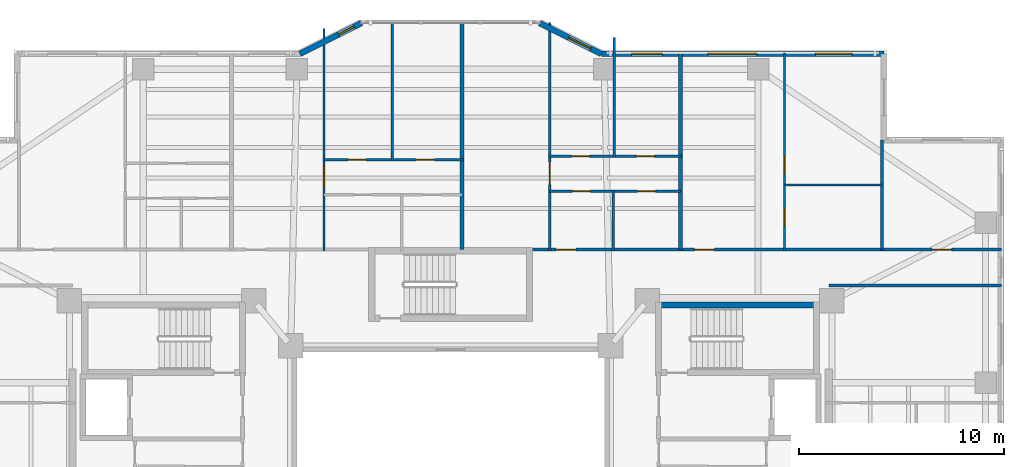
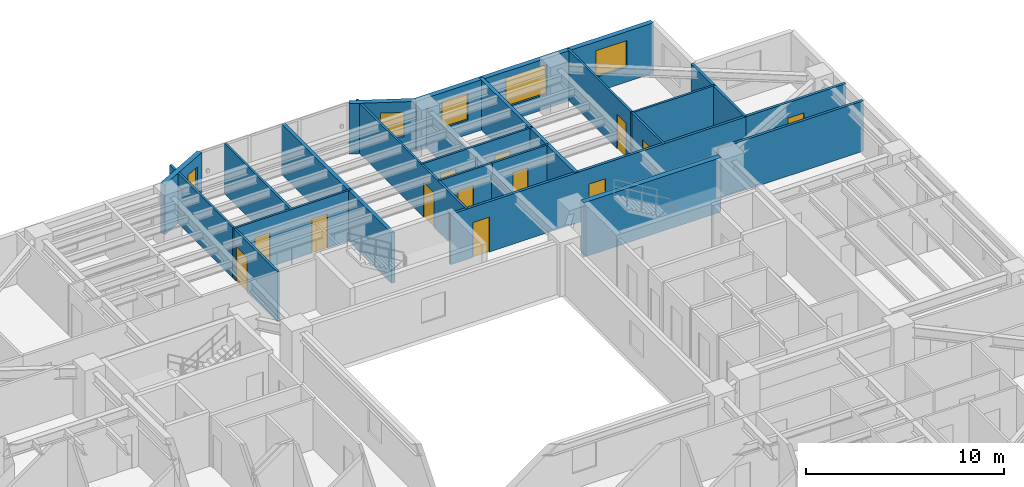
# One storey, part 11 of 19: 22 walls, 13 doors, 5 windows, 18 openings.
"""IFC4 building model written with IfcOpenShell, lengths in metres."""

from ifc_helpers import new_model, si_unit, direction, frame, frame_2d, origin, place, context, subcontext, project, spatial, rectangle, extrude, material, layer, layer_set, type_object, element, fill, save


model = new_model("IFC4")

# Units and contexts
model_context = context("Model", 3, precision=1e-05, world=origin(), true_north=direction((0.0, 1.0)))
body_context = subcontext(model_context, "Body", "Model", "MODEL_VIEW")
ifc_project = project(units=[si_unit("LENGTHUNIT", "METRE"), si_unit("AREAUNIT", "SQUARE_METRE"), si_unit("VOLUMEUNIT", "CUBIC_METRE"), si_unit("PLANEANGLEUNIT", "RADIAN"), si_unit("MASSUNIT", "GRAM", prefix="KILO")], contexts=[model_context])

# Site, building, storey
site_placement = place(None, origin())
site = spatial("IfcSite", under=ifc_project, at=site_placement, CompositionType="ELEMENT")
building_placement = place(site_placement, origin())
building = spatial("IfcBuilding", under=site, at=building_placement, Name="Tarnavaz Court Tower", CompositionType="ELEMENT")
storey_placement = place(building_placement, frame((0.0, 0.0, 81.64990234375)))
storey = spatial("IfcBuildingStorey", under=building, at=storey_placement, Name="L21", CompositionType="ELEMENT", Elevation=81.64990234375)

# Wall
ifc_material_1 = material(Name="Concrete C60/75", Category="concrete")
ifc_layer_1 = layer(ifc_material_1, 0.300048828125)
ifc_layer_set_1 = layer_set([ifc_layer_1], Name="Concrete C60/75")
wall_type_1 = type_object("IfcWallType", Name="WL-CORE-300-C60", PredefinedType="SHEAR", material=ifc_layer_set_1)
wall_1_placement = place(storey_placement, frame((10.0, 9.7900390625, 0.0), z_axis=(0.0, 0.0, 1.0), x_axis=(1.0, 0.0, 0.0)))
element("IfcWall", 1, at=wall_1_placement, inside=storey, type_object=wall_type_1, Name="L21 East Stair Core Wall 005", PredefinedType="SHEAR", context=body_context, shape_type="SweptSolid", body=[
    extrude(rectangle(XDim=8.0, YDim=0.300048828125, at=frame_2d((4.0, 0.0))), origin(), (0.0, 0.0, 1.0), 3.35009765625),
])

# Wall, opening, window
ifc_material_2 = material(Name="Precast Concrete C40/50", Category="concrete")
ifc_layer_2 = layer(ifc_material_2, 0.280029296875)
ifc_layer_set_2 = layer_set([ifc_layer_2], Name="Precast Concrete C40/50")
wall_type_2 = type_object("IfcWallType", Name="WL-EXT-280", PredefinedType="SOLIDWALL", material=ifc_layer_set_2)
wall_2_placement = place(storey_placement, frame((-7.35009765625, 22.050048828125, 0.0), z_axis=(0.0, 0.0, 1.0), x_axis=(0.894427191, 0.4472135955, 0.0)))
wall_2 = element("IfcWall", 2, at=wall_2_placement, inside=storey, type_object=wall_type_2, Name="L21 Exterior Terracotta Facade Wall 06", PredefinedType="SOLIDWALL", context=body_context, shape_type="SweptSolid", body=[
    extrude(rectangle(XDim=3.35400390625, YDim=0.280029296875, at=frame_2d((1.677001953125, 0.0))), origin(), (0.0, 0.0, 1.0), 3.10009765625),
])
opening_1_placement = place(wall_2_placement, frame((2.098876953125, 0.0, 0.949951171875)))
opening_1 = element("IfcOpeningElement", 3, at=opening_1_placement, cuts=wall_2, Name="Opening W15", PredefinedType="OPENING", context=body_context, shape_type="SweptSolid", body=[
    extrude(rectangle(XDim=0.85009765625, YDim=1.5, at=frame_2d((0.425048828125, 0.75))), frame((0.0, 0.14990234375, 0.0), z_axis=(0.0, -1.0, 0.0), x_axis=(1.0, 0.0, 0.0)), (0.0, 0.0, 1.0), 0.300048828125),
])
ifc_material_3 = material(Name="Double-Glazed Solar Low-E Glass", Category="glass")
window_type_1 = type_object("IfcWindowType", Name="WN-APT-850", PartitioningType="SINGLE_PANEL", PredefinedType="WINDOW", material=ifc_material_3)
window_1_placement = place(opening_1_placement, origin())
window_1 = element("IfcWindow", 4, at=window_1_placement, inside=storey, type_object=window_type_1, Name="L21 Flat 02 Principal Bedroom Window", OverallHeight=1.5, OverallWidth=0.85009765625, PartitioningType="SINGLE_PANEL", PredefinedType="WINDOW", context=body_context, shape_type="SweptSolid", body=[
    extrude(rectangle(XDim=0.85009765625, YDim=1.5, at=frame_2d((0.425048828125, 0.75))), frame((0.0, 0.030029296875, 0.0), z_axis=(0.0, -1.0, 0.0), x_axis=(1.0, 0.0, 0.0)), (0.0, 0.0, 1.0), 0.06005859375),
])
fill(opening_1, window_1)

wall_3_placement = place(storey_placement, frame((4.35009765625, 23.550048828125, 0.0), z_axis=(0.0, 0.0, 1.0), x_axis=(0.894427191, -0.4472135955, 0.0)))
wall_3 = element("IfcWall", 5, at=wall_3_placement, inside=storey, type_object=wall_type_2, Name="L21 Exterior Terracotta Facade Wall 08", PredefinedType="SOLIDWALL", context=body_context, shape_type="SweptSolid", body=[
    extrude(rectangle(XDim=3.35400390625, YDim=0.280029296875, at=frame_2d((1.677001953125, 0.0))), origin(), (0.0, 0.0, 1.0), 3.10009765625),
])
opening_2_placement = place(wall_3_placement, frame((1.582763671875, 0.0, 0.949951171875)))
opening_2 = element("IfcOpeningElement", 6, at=opening_2_placement, cuts=wall_3, Name="Opening W05", PredefinedType="OPENING", context=body_context, shape_type="SweptSolid", body=[
    extrude(rectangle(XDim=1.199951171875, YDim=1.5, at=frame_2d((0.60009765625, 0.75))), frame((0.0, 0.14990234375, 0.0), z_axis=(0.0, -1.0, 0.0), x_axis=(1.0, 0.0, 0.0)), (0.0, 0.0, 1.0), 0.300048828125),
])
window_type_2 = type_object("IfcWindowType", Name="WN-APT-1200", PartitioningType="SINGLE_PANEL", PredefinedType="WINDOW", material=ifc_material_3)
window_2_placement = place(opening_2_placement, origin())
window_2 = element("IfcWindow", 7, at=window_2_placement, inside=storey, type_object=window_type_2, Name="L21 Flat 03 Principal Bedroom Window", OverallHeight=1.5, OverallWidth=1.199951171875, PartitioningType="SINGLE_PANEL", PredefinedType="WINDOW", context=body_context, shape_type="SweptSolid", body=[
    extrude(rectangle(XDim=1.199951171875, YDim=1.5, at=frame_2d((0.60009765625, 0.75))), frame((0.0, 0.030029296875, 0.0), z_axis=(0.0, -1.0, 0.0), x_axis=(1.0, 0.0, 0.0)), (0.0, 0.0, 1.0), 0.06005859375),
])
fill(opening_2, window_2)

# Wall, openings, windows
wall_4_placement = place(storey_placement, frame((7.35009765625, 22.050048828125, 0.0), z_axis=(0.0, 0.0, 1.0), x_axis=(1.0, 0.0, 0.0)))
wall_4 = element("IfcWall", 8, at=wall_4_placement, inside=storey, type_object=wall_type_2, Name="L21 Exterior Terracotta Facade Wall 09", PredefinedType="SOLIDWALL", context=body_context, shape_type="SweptSolid", body=[
    extrude(rectangle(XDim=13.7998046875, YDim=0.280029296875, at=frame_2d((6.89990234375, 0.0))), origin(), (0.0, 0.0, 1.0), 3.10009765625),
])
opening_3_placement = place(wall_4_placement, frame((1.483154296875, 0.0, 0.89990234375)))
opening_3 = element("IfcOpeningElement", 9, at=opening_3_placement, cuts=wall_4, Name="Opening W03", PredefinedType="OPENING", context=body_context, shape_type="SweptSolid", body=[
    extrude(rectangle(XDim=1.5, YDim=1.64990234375, at=frame_2d((0.75, 0.824951171875))), frame((0.0, 0.14990234375, 0.0), z_axis=(0.0, -1.0, 0.0), x_axis=(1.0, 0.0, 0.0)), (0.0, 0.0, 1.0), 0.300048828125),
])
opening_4_placement = place(wall_4_placement, frame((5.1982421875, 0.0, 0.89990234375)))
opening_4 = element("IfcOpeningElement", 10, at=opening_4_placement, cuts=wall_4, Name="Opening W06", PredefinedType="OPENING", context=body_context, shape_type="SweptSolid", body=[
    extrude(rectangle(XDim=2.39990234375, YDim=1.800048828125, at=frame_2d((1.199951171875, 0.89990234375))), frame((0.0, 0.14990234375, 0.0), z_axis=(0.0, -1.0, 0.0), x_axis=(1.0, 0.0, 0.0)), (0.0, 0.0, 1.0), 0.300048828125),
])
opening_5_placement = place(wall_4_placement, frame((10.441162109375, 0.0, 0.89990234375)))
opening_5 = element("IfcOpeningElement", 11, at=opening_5_placement, cuts=wall_4, Name="Opening W01", PredefinedType="OPENING", context=body_context, shape_type="SweptSolid", body=[
    extrude(rectangle(XDim=1.800048828125, YDim=1.64990234375, at=frame_2d((0.89990234375, 0.824951171875))), frame((0.0, 0.14990234375, 0.0), z_axis=(0.0, -1.0, 0.0), x_axis=(1.0, 0.0, 0.0)), (0.0, 0.0, 1.0), 0.300048828125),
])
window_type_3 = type_object("IfcWindowType", Name="WN-APT-1500", PartitioningType="DOUBLE_PANEL_VERTICAL", PredefinedType="WINDOW", material=ifc_material_3)
window_3_placement = place(opening_3_placement, origin())
window_3 = element("IfcWindow", 12, at=window_3_placement, inside=storey, type_object=window_type_3, Name="L21 Flat 03 Bedroom 2 Window", OverallHeight=1.64990234375, OverallWidth=1.5, PartitioningType="SINGLE_PANEL", PredefinedType="WINDOW", context=body_context, shape_type="SweptSolid", body=[
    extrude(rectangle(XDim=1.5, YDim=1.64990234375, at=frame_2d((0.75, 0.824951171875))), frame((0.0, 0.030029296875, 0.0), z_axis=(0.0, -1.0, 0.0), x_axis=(1.0, 0.0, 0.0)), (0.0, 0.0, 1.0), 0.06005859375),
])
fill(opening_3, window_3)
window_type_4 = type_object("IfcWindowType", Name="WN-APT-1800", PartitioningType="DOUBLE_PANEL_VERTICAL", PredefinedType="WINDOW", material=ifc_material_3)
window_4_placement = place(opening_5_placement, origin())
window_4 = element("IfcWindow", 13, at=window_4_placement, inside=storey, type_object=window_type_4, Name="L21 Flat 04 Kitchen Window", OverallHeight=1.64990234375, OverallWidth=1.800048828125, PartitioningType="SINGLE_PANEL", PredefinedType="WINDOW", context=body_context, shape_type="SweptSolid", body=[
    extrude(rectangle(XDim=1.800048828125, YDim=1.64990234375, at=frame_2d((0.89990234375, 0.824951171875))), frame((0.0, 0.030029296875, 0.0), z_axis=(0.0, -1.0, 0.0), x_axis=(1.0, 0.0, 0.0)), (0.0, 0.0, 1.0), 0.06005859375),
])
fill(opening_5, window_4)
window_type_5 = type_object("IfcWindowType", Name="WN-APT-2400", PartitioningType="TRIPLE_PANEL_VERTICAL", PredefinedType="WINDOW", material=ifc_material_3)
window_5_placement = place(opening_4_placement, origin())
window_5 = element("IfcWindow", 14, at=window_5_placement, inside=storey, type_object=window_type_5, Name="L21 Flat 04 Studio Living and Sleeping Room Window", OverallHeight=1.800048828125, OverallWidth=2.39990234375, PartitioningType="SINGLE_PANEL", PredefinedType="WINDOW", context=body_context, shape_type="SweptSolid", body=[
    extrude(rectangle(XDim=2.39990234375, YDim=1.800048828125, at=frame_2d((1.199951171875, 0.89990234375))), frame((0.0, 0.030029296875, 0.0), z_axis=(0.0, -1.0, 0.0), x_axis=(1.0, 0.0, 0.0)), (0.0, 0.0, 1.0), 0.06005859375),
])
fill(opening_4, window_5)

# Wall, openings, doors
ifc_material_4 = material(Name="Gypsum Fire-Board on Acoustic Metal Stud", Category="masonry")
ifc_layer_3 = layer(ifc_material_4, 0.14990234375)
ifc_layer_set_3 = layer_set([ifc_layer_3], Name="Gypsum Fire-Board on Acoustic Metal Stud")
wall_type_3 = type_object("IfcWallType", Name="WL-FIRE-150", PredefinedType="PARTITIONING", material=ifc_layer_set_3)
wall_5_placement = place(storey_placement, frame((3.85009765625, 12.5, 0.0), z_axis=(0.0, 0.0, 1.0), x_axis=(1.0, 0.0, 0.0)))
wall_5 = element("IfcWall", 15, at=wall_5_placement, inside=storey, type_object=wall_type_3, Name="L21 NE Wing Corridor Wall 072", PredefinedType="PARTITIONING", context=body_context, shape_type="SweptSolid", body=[
    extrude(rectangle(XDim=17.199951171875, YDim=0.14990234375, at=frame_2d((8.60009765625, 0.0))), origin(), (0.0, 0.0, 1.0), 3.10009765625),
])
opening_6_placement = place(wall_5_placement, frame((1.300048828125, 0.0, 0.0)))
opening_6 = element("IfcOpeningElement", 16, at=opening_6_placement, cuts=wall_5, Name="Opening D06", PredefinedType="OPENING", context=body_context, shape_type="SweptSolid", body=[
    extrude(rectangle(XDim=0.9599609375, YDim=2.14990234375, at=frame_2d((0.47998046875, 1.074951171875))), frame((0.0, 0.0849609375, 0.0), z_axis=(0.0, -1.0, 0.0), x_axis=(1.0, 0.0, 0.0)), (0.0, 0.0, 1.0), 0.169921875),
])
opening_7_placement = place(wall_5_placement, frame((8.06005859375, 0.0, 0.0)))
opening_7 = element("IfcOpeningElement", 17, at=opening_7_placement, cuts=wall_5, Name="Opening D06", PredefinedType="OPENING", context=body_context, shape_type="SweptSolid", body=[
    extrude(rectangle(XDim=0.9599609375, YDim=2.14990234375, at=frame_2d((0.47998046875, 1.074951171875))), frame((0.0, 0.0849609375, 0.0), z_axis=(0.0, -1.0, 0.0), x_axis=(1.0, 0.0, 0.0)), (0.0, 0.0, 1.0), 0.169921875),
])
ifc_material_5 = material(Name="Fire-Rated Hardwood Timber Core", Category="wood")
door_type_1 = type_object("IfcDoorType", Name="DR-FD60-950", OperationType="NOTDEFINED", PredefinedType="DOOR", material=ifc_material_5)
door_1_placement = place(opening_6_placement, origin())
door_1 = element("IfcDoor", 18, at=door_1_placement, inside=storey, type_object=door_type_1, Name="L21 Flat 03 Entrance Door", OperationType="SINGLE_SWING_RIGHT", OverallHeight=2.14990234375, OverallWidth=0.9599609375, PredefinedType="DOOR", context=body_context, shape_type="SweptSolid", body=[
    extrude(rectangle(XDim=0.9599609375, YDim=2.14990234375, at=frame_2d((0.47998046875, 1.074951171875))), frame((0.0, 0.02490234375, 0.0), z_axis=(0.0, -1.0, 0.0), x_axis=(1.0, 0.0, 0.0)), (0.0, 0.0, 1.0), 0.050048828125),
])
fill(opening_6, door_1)
door_2_placement = place(opening_7_placement, origin())
door_2 = element("IfcDoor", 19, at=door_2_placement, inside=storey, type_object=door_type_1, Name="L21 Flat 04 Entrance Door", OperationType="SINGLE_SWING_RIGHT", OverallHeight=2.14990234375, OverallWidth=0.9599609375, PredefinedType="DOOR", context=body_context, shape_type="SweptSolid", body=[
    extrude(rectangle(XDim=0.9599609375, YDim=2.14990234375, at=frame_2d((0.47998046875, 1.074951171875))), frame((0.0, 0.02490234375, 0.0), z_axis=(0.0, -1.0, 0.0), x_axis=(1.0, 0.0, 0.0)), (0.0, 0.0, 1.0), 0.050048828125),
])
fill(opening_7, door_2)

# Wall
wall_6_placement = place(storey_placement, frame((18.449951171875, 10.75, 0.0), z_axis=(0.0, 0.0, 1.0), x_axis=(1.0, 0.0, 0.0)))
element("IfcWall", 20, at=wall_6_placement, inside=storey, type_object=wall_type_3, Name="L21 Interior Partition 125", PredefinedType="PARTITIONING", context=body_context, shape_type="SweptSolid", body=[
    extrude(rectangle(XDim=8.429931640625, YDim=0.14990234375, at=frame_2d((4.21484375, 0.0))), origin(), (0.0, 0.0, 1.0), 3.10009765625),
])

# Wall, opening, door
wall_7_placement = place(storey_placement, frame((21.050048828125, 12.5, 0.0), z_axis=(0.0, 0.0, 1.0), x_axis=(1.0, 0.0, 0.0)))
wall_7 = element("IfcWall", 21, at=wall_7_placement, inside=storey, type_object=wall_type_3, Name="L21 Interior Partition 131", PredefinedType="PARTITIONING", context=body_context, shape_type="SweptSolid", body=[
    extrude(rectangle(XDim=5.829833984375, YDim=0.14990234375, at=frame_2d((2.9150390625, 0.0))), origin(), (0.0, 0.0, 1.0), 3.10009765625),
])
opening_8_placement = place(wall_7_placement, frame((2.43994140625, 0.0, 0.0)))
opening_8 = element("IfcOpeningElement", 22, at=opening_8_placement, cuts=wall_7, Name="Opening D13", PredefinedType="OPENING", context=body_context, shape_type="SweptSolid", body=[
    extrude(rectangle(XDim=0.949951171875, YDim=2.14990234375, at=frame_2d((0.47509765625, 1.074951171875))), frame((0.0, 0.0849609375, 0.0), z_axis=(0.0, -1.0, 0.0), x_axis=(1.0, 0.0, 0.0)), (0.0, 0.0, 1.0), 0.169921875),
])
ifc_material_6 = material(Name="Engineered Oak Timber", Category="wood")
door_type_2 = type_object("IfcDoorType", Name="DR-INT-950", OperationType="NOTDEFINED", PredefinedType="DOOR", material=ifc_material_6)
door_3_placement = place(opening_8_placement, origin())
door_3 = element("IfcDoor", 23, at=door_3_placement, inside=storey, type_object=door_type_2, Name="L21 NE Sunroom Door", OperationType="SINGLE_SWING_RIGHT", OverallHeight=2.14990234375, OverallWidth=0.949951171875, PredefinedType="DOOR", context=body_context, shape_type="SweptSolid", body=[
    extrude(rectangle(XDim=0.949951171875, YDim=2.14990234375, at=frame_2d((0.47509765625, 1.074951171875))), frame((0.0, 0.02490234375, 0.0), z_axis=(0.0, -1.0, 0.0), x_axis=(1.0, 0.0, 0.0)), (0.0, 0.0, 1.0), 0.050048828125),
])
fill(opening_8, door_3)

# Walls
ifc_material_7 = material(Name="Autoclaved Aerated Concrete Blockwork", Category="masonry")
ifc_layer_4 = layer(ifc_material_7, 0.199951171875)
ifc_layer_set_4 = layer_set([ifc_layer_4], Name="Autoclaved Aerated Concrete Blockwork")
wall_type_4 = type_object("IfcWallType", Name="WL-FIRE-200", PredefinedType="SOLIDWALL", material=ifc_layer_set_4)
wall_8_placement = place(storey_placement, frame((0.550048828125, 12.5, 0.0), z_axis=(0.0, 0.0, 1.0), x_axis=(0.0, 1.0, 0.0)))
element("IfcWall", 24, at=wall_8_placement, inside=storey, type_object=wall_type_4, Name="L21 North Center Party Wall 075", PredefinedType="SOLIDWALL", context=body_context, shape_type="SweptSolid", body=[
    extrude(rectangle(XDim=11.080078125, YDim=0.199951171875, at=frame_2d((5.5400390625, 0.0))), origin(), (0.0, 0.0, 1.0), 3.10009765625),
])
wall_9_placement = place(storey_placement, frame((11.2099609375, 12.5, 0.0), z_axis=(0.0, 0.0, 1.0), x_axis=(0.0, 1.0, 0.0)))
element("IfcWall", 25, at=wall_9_placement, inside=storey, type_object=wall_type_4, Name="L21 Party Wall 088", PredefinedType="SOLIDWALL", context=body_context, shape_type="SweptSolid", body=[
    extrude(rectangle(XDim=9.60009765625, YDim=0.199951171875, at=frame_2d((4.800048828125, 0.0))), origin(), (0.0, 0.0, 1.0), 3.10009765625),
])

# Wall, opening, door
ifc_material_8 = material(Name="Moisture-Resistant Gypsum Board Partition", Category="masonry")
ifc_layer_5 = layer(ifc_material_8, 0.1201171875)
ifc_layer_set_5 = layer_set([ifc_layer_5], Name="Moisture-Resistant Gypsum Board Partition")
wall_type_5 = type_object("IfcWallType", Name="WL-PART-120", PredefinedType="PARTITIONING", material=ifc_layer_set_5)
wall_10_placement = place(storey_placement, frame((-6.177001953125, 12.43994140625, 0.0), z_axis=(0.0, 0.0, 1.0), x_axis=(0.0, 1.0, 0.0)))
wall_10 = element("IfcWall", 26, at=wall_10_placement, inside=storey, type_object=wall_type_5, Name="L21 Interior Partition 082", PredefinedType="PARTITIONING", context=body_context, shape_type="SweptSolid", body=[
    extrude(rectangle(XDim=10.85009765625, YDim=0.1201171875, at=frame_2d((5.425048828125, 0.0))), origin(), (0.0, 0.0, 1.0), 3.10009765625),
])
opening_9_placement = place(wall_10_placement, frame((3.074951171875, 0.0, 0.0)))
opening_9 = element("IfcOpeningElement", 27, at=opening_9_placement, cuts=wall_10, Name="Opening D12", PredefinedType="OPENING", context=body_context, shape_type="SweptSolid", body=[
    extrude(rectangle(XDim=1.080078125, YDim=2.14990234375, at=frame_2d((0.5400390625, 1.074951171875))), frame((0.0, 0.070068359375, 0.0), z_axis=(0.0, -1.0, 0.0), x_axis=(1.0, 0.0, 0.0)), (0.0, 0.0, 1.0), 0.14013671875),
])
door_type_3 = type_object("IfcDoorType", Name="DR-INT-1100", OperationType="NOTDEFINED", PredefinedType="DOOR", material=ifc_material_6)
door_4_placement = place(opening_9_placement, origin())
door_4 = element("IfcDoor", 28, at=door_4_placement, inside=storey, type_object=door_type_3, Name="L21 Flat 02 Foyer Door", OperationType="SINGLE_SWING_LEFT", OverallHeight=2.14990234375, OverallWidth=1.080078125, PredefinedType="DOOR", context=body_context, shape_type="SweptSolid", body=[
    extrude(rectangle(XDim=1.080078125, YDim=2.14990234375, at=frame_2d((0.5400390625, 1.074951171875))), frame((0.0, 0.02490234375, 0.0), z_axis=(0.0, -1.0, 0.0), x_axis=(1.0, 0.0, 0.0)), (0.0, 0.0, 1.0), 0.050048828125),
])
fill(opening_9, door_4)

# Wall, openings, doors
wall_11_placement = place(storey_placement, frame((-6.237060546875, 16.8798828125, 0.0), z_axis=(0.0, 0.0, 1.0), x_axis=(1.0, 0.0, 0.0)))
wall_11 = element("IfcWall", 29, at=wall_11_placement, inside=storey, type_object=wall_type_5, Name="L21 Interior Partition 085", PredefinedType="PARTITIONING", context=body_context, shape_type="SweptSolid", body=[
    extrude(rectangle(XDim=6.84716796875, YDim=0.1201171875, at=frame_2d((3.423583984375, 0.0))), origin(), (0.0, 0.0, 1.0), 3.10009765625),
])
opening_10_placement = place(wall_11_placement, frame((1.22705078125, 0.0, 0.0)))
opening_10 = element("IfcOpeningElement", 30, at=opening_10_placement, cuts=wall_11, Name="Opening D14", PredefinedType="OPENING", context=body_context, shape_type="SweptSolid", body=[
    extrude(rectangle(XDim=0.8798828125, YDim=2.10009765625, at=frame_2d((0.43994140625, 1.050048828125))), frame((0.0, 0.070068359375, 0.0), z_axis=(0.0, -1.0, 0.0), x_axis=(1.0, 0.0, 0.0)), (0.0, 0.0, 1.0), 0.14013671875),
])
opening_11_placement = place(wall_11_placement, frame((4.56005859375, 0.0, 0.0)))
opening_11 = element("IfcOpeningElement", 31, at=opening_11_placement, cuts=wall_11, Name="Opening D14", PredefinedType="OPENING", context=body_context, shape_type="SweptSolid", body=[
    extrude(rectangle(XDim=0.8798828125, YDim=2.10009765625, at=frame_2d((0.43994140625, 1.050048828125))), frame((0.0, 0.070068359375, 0.0), z_axis=(0.0, -1.0, 0.0), x_axis=(1.0, 0.0, 0.0)), (0.0, 0.0, 1.0), 0.14013671875),
])
door_type_4 = type_object("IfcDoorType", Name="DR-INT-900", OperationType="NOTDEFINED", PredefinedType="DOOR", material=ifc_material_6)
door_5_placement = place(opening_10_placement, origin())
door_5 = element("IfcDoor", 32, at=door_5_placement, inside=storey, type_object=door_type_4, Name="L21 Flat 02 Bedroom 1 Door", OperationType="SINGLE_SWING_RIGHT", OverallHeight=2.10009765625, OverallWidth=0.8798828125, PredefinedType="DOOR", context=body_context, shape_type="SweptSolid", body=[
    extrude(rectangle(XDim=0.8798828125, YDim=2.10009765625, at=frame_2d((0.43994140625, 1.050048828125))), frame((0.0, 0.02490234375, 0.0), z_axis=(0.0, -1.0, 0.0), x_axis=(1.0, 0.0, 0.0)), (0.0, 0.0, 1.0), 0.050048828125),
])
fill(opening_10, door_5)
door_6_placement = place(opening_11_placement, origin())
door_6 = element("IfcDoor", 33, at=door_6_placement, inside=storey, type_object=door_type_4, Name="L21 Flat 02 Bedroom 2 Door", OperationType="SINGLE_SWING_LEFT", OverallHeight=2.10009765625, OverallWidth=0.8798828125, PredefinedType="DOOR", context=body_context, shape_type="SweptSolid", body=[
    extrude(rectangle(XDim=0.8798828125, YDim=2.10009765625, at=frame_2d((0.43994140625, 1.050048828125))), frame((0.0, 0.02490234375, 0.0), z_axis=(0.0, -1.0, 0.0), x_axis=(1.0, 0.0, 0.0)), (0.0, 0.0, 1.0), 0.050048828125),
])
fill(opening_11, door_6)

# Wall
wall_12_placement = place(storey_placement, frame((-2.843017578125, 16.820068359375, 0.0), z_axis=(0.0, 0.0, 1.0), x_axis=(0.0, 1.0, 0.0)))
element("IfcWall", 34, at=wall_12_placement, inside=storey, type_object=wall_type_5, Name="L21 Interior Partition 087", PredefinedType="PARTITIONING", context=body_context, shape_type="SweptSolid", body=[
    extrude(rectangle(XDim=6.760009765625, YDim=0.1201171875, at=frame_2d((3.3798828125, 0.0))), origin(), (0.0, 0.0, 1.0), 3.10009765625),
])

# Wall, opening, door
wall_13_placement = place(storey_placement, frame((4.825927734375, 12.43994140625, 0.0), z_axis=(0.0, 0.0, 1.0), x_axis=(0.0, 1.0, 0.0)))
wall_13 = element("IfcWall", 35, at=wall_13_placement, inside=storey, type_object=wall_type_5, Name="L21 Interior Partition 089", PredefinedType="PARTITIONING", context=body_context, shape_type="SweptSolid", body=[
    extrude(rectangle(XDim=11.14013671875, YDim=0.1201171875, at=frame_2d((5.570068359375, 0.0))), origin(), (0.0, 0.0, 1.0), 3.10009765625),
])
opening_12_placement = place(wall_13_placement, frame((3.2451171875, 0.0, 0.0)))
opening_12 = element("IfcOpeningElement", 36, at=opening_12_placement, cuts=wall_13, Name="Opening D12", PredefinedType="OPENING", context=body_context, shape_type="SweptSolid", body=[
    extrude(rectangle(XDim=1.080078125, YDim=2.14990234375, at=frame_2d((0.5400390625, 1.074951171875))), frame((0.0, 0.070068359375, 0.0), z_axis=(0.0, -1.0, 0.0), x_axis=(1.0, 0.0, 0.0)), (0.0, 0.0, 1.0), 0.14013671875),
])
door_7_placement = place(opening_12_placement, origin())
door_7 = element("IfcDoor", 37, at=door_7_placement, inside=storey, type_object=door_type_3, Name="L21 Flat 03 Foyer Door", OperationType="SINGLE_SWING_LEFT", OverallHeight=2.14990234375, OverallWidth=1.080078125, PredefinedType="DOOR", context=body_context, shape_type="SweptSolid", body=[
    extrude(rectangle(XDim=1.080078125, YDim=2.14990234375, at=frame_2d((0.5400390625, 1.074951171875))), frame((0.0, 0.02490234375, 0.0), z_axis=(0.0, -1.0, 0.0), x_axis=(1.0, 0.0, 0.0)), (0.0, 0.0, 1.0), 0.050048828125),
])
fill(opening_12, door_7)

wall_14_placement = place(storey_placement, frame((4.825927734375, 15.340087890625, 0.0), z_axis=(0.0, 0.0, 1.0), x_axis=(1.0, 0.0, 0.0)))
wall_14 = element("IfcWall", 38, at=wall_14_placement, inside=storey, type_object=wall_type_5, Name="L21 Interior Partition 090", PredefinedType="PARTITIONING", context=body_context, shape_type="SweptSolid", body=[
    extrude(rectangle(XDim=3.09912109375, YDim=0.1201171875, at=frame_2d((1.549560546875, 0.0))), origin(), (0.0, 0.0, 1.0), 3.10009765625),
])
opening_13_placement = place(wall_14_placement, frame((1.110107421875, 0.0, 0.0)))
opening_13 = element("IfcOpeningElement", 39, at=opening_13_placement, cuts=wall_14, Name="Opening D14", PredefinedType="OPENING", context=body_context, shape_type="SweptSolid", body=[
    extrude(rectangle(XDim=0.8798828125, YDim=2.10009765625, at=frame_2d((0.43994140625, 1.050048828125))), frame((0.0, 0.070068359375, 0.0), z_axis=(0.0, -1.0, 0.0), x_axis=(1.0, 0.0, 0.0)), (0.0, 0.0, 1.0), 0.14013671875),
])
door_8_placement = place(opening_13_placement, origin())
door_8 = element("IfcDoor", 40, at=door_8_placement, inside=storey, type_object=door_type_4, Name="L21 Flat 03 Kitchen Door", OperationType="SINGLE_SWING_RIGHT", OverallHeight=2.10009765625, OverallWidth=0.8798828125, PredefinedType="DOOR", context=body_context, shape_type="SweptSolid", body=[
    extrude(rectangle(XDim=0.8798828125, YDim=2.10009765625, at=frame_2d((0.43994140625, 1.050048828125))), frame((0.0, 0.02490234375, 0.0), z_axis=(0.0, -1.0, 0.0), x_axis=(1.0, 0.0, 0.0)), (0.0, 0.0, 1.0), 0.050048828125),
])
fill(opening_13, door_8)

wall_15_placement = place(storey_placement, frame((7.925048828125, 15.340087890625, 0.0), z_axis=(0.0, 0.0, 1.0), x_axis=(1.0, 0.0, 0.0)))
wall_15 = element("IfcWall", 41, at=wall_15_placement, inside=storey, type_object=wall_type_5, Name="L21 Interior Partition 091", PredefinedType="PARTITIONING", context=body_context, shape_type="SweptSolid", body=[
    extrude(rectangle(XDim=3.284912109375, YDim=0.1201171875, at=frame_2d((1.642578125, 0.0))), origin(), (0.0, 0.0, 1.0), 3.10009765625),
])
opening_14_placement = place(wall_15_placement, frame((1.202880859375, 0.0, 0.0)))
opening_14 = element("IfcOpeningElement", 42, at=opening_14_placement, cuts=wall_15, Name="Opening D14", PredefinedType="OPENING", context=body_context, shape_type="SweptSolid", body=[
    extrude(rectangle(XDim=0.8798828125, YDim=2.10009765625, at=frame_2d((0.43994140625, 1.050048828125))), frame((0.0, 0.070068359375, 0.0), z_axis=(0.0, -1.0, 0.0), x_axis=(1.0, 0.0, 0.0)), (0.0, 0.0, 1.0), 0.14013671875),
])
door_9_placement = place(opening_14_placement, origin())
door_9 = element("IfcDoor", 43, at=door_9_placement, inside=storey, type_object=door_type_4, Name="L21 Flat 03 Bathroom Door", OperationType="SINGLE_SWING_LEFT", OverallHeight=2.10009765625, OverallWidth=0.8798828125, PredefinedType="DOOR", context=body_context, shape_type="SweptSolid", body=[
    extrude(rectangle(XDim=0.8798828125, YDim=2.10009765625, at=frame_2d((0.43994140625, 1.050048828125))), frame((0.0, 0.02490234375, 0.0), z_axis=(0.0, -1.0, 0.0), x_axis=(1.0, 0.0, 0.0)), (0.0, 0.0, 1.0), 0.050048828125),
])
fill(opening_14, door_9)

# Wall, openings, doors
wall_16_placement = place(storey_placement, frame((4.76611328125, 17.050048828125, 0.0), z_axis=(0.0, 0.0, 1.0), x_axis=(1.0, 0.0, 0.0)))
wall_16 = element("IfcWall", 44, at=wall_16_placement, inside=storey, type_object=wall_type_5, Name="L21 Interior Partition 092", PredefinedType="PARTITIONING", context=body_context, shape_type="SweptSolid", body=[
    extrude(rectangle(XDim=6.50390625, YDim=0.1201171875, at=frame_2d((3.251953125, 0.0))), origin(), (0.0, 0.0, 1.0), 3.10009765625),
])
opening_15_placement = place(wall_16_placement, frame((1.14111328125, 0.0, 0.0)))
opening_15 = element("IfcOpeningElement", 45, at=opening_15_placement, cuts=wall_16, Name="Opening D14", PredefinedType="OPENING", context=body_context, shape_type="SweptSolid", body=[
    extrude(rectangle(XDim=0.8798828125, YDim=2.10009765625, at=frame_2d((0.43994140625, 1.050048828125))), frame((0.0, 0.070068359375, 0.0), z_axis=(0.0, -1.0, 0.0), x_axis=(1.0, 0.0, 0.0)), (0.0, 0.0, 1.0), 0.14013671875),
])
opening_16_placement = place(wall_16_placement, frame((4.302978515625, 0.0, 0.0)))
opening_16 = element("IfcOpeningElement", 46, at=opening_16_placement, cuts=wall_16, Name="Opening D14", PredefinedType="OPENING", context=body_context, shape_type="SweptSolid", body=[
    extrude(rectangle(XDim=0.8798828125, YDim=2.10009765625, at=frame_2d((0.43994140625, 1.050048828125))), frame((0.0, 0.070068359375, 0.0), z_axis=(0.0, -1.0, 0.0), x_axis=(1.0, 0.0, 0.0)), (0.0, 0.0, 1.0), 0.14013671875),
])
door_10_placement = place(opening_15_placement, origin())
door_10 = element("IfcDoor", 47, at=door_10_placement, inside=storey, type_object=door_type_4, Name="L21 Flat 03 Bedroom 1 Door", OperationType="SINGLE_SWING_RIGHT", OverallHeight=2.10009765625, OverallWidth=0.8798828125, PredefinedType="DOOR", context=body_context, shape_type="SweptSolid", body=[
    extrude(rectangle(XDim=0.8798828125, YDim=2.10009765625, at=frame_2d((0.43994140625, 1.050048828125))), frame((0.0, 0.02490234375, 0.0), z_axis=(0.0, -1.0, 0.0), x_axis=(1.0, 0.0, 0.0)), (0.0, 0.0, 1.0), 0.050048828125),
])
fill(opening_15, door_10)
door_11_placement = place(opening_16_placement, origin())
door_11 = element("IfcDoor", 48, at=door_11_placement, inside=storey, type_object=door_type_4, Name="L21 Flat 03 Bedroom 2 Door", OperationType="SINGLE_SWING_LEFT", OverallHeight=2.10009765625, OverallWidth=0.8798828125, PredefinedType="DOOR", context=body_context, shape_type="SweptSolid", body=[
    extrude(rectangle(XDim=0.8798828125, YDim=2.10009765625, at=frame_2d((0.43994140625, 1.050048828125))), frame((0.0, 0.02490234375, 0.0), z_axis=(0.0, -1.0, 0.0), x_axis=(1.0, 0.0, 0.0)), (0.0, 0.0, 1.0), 0.050048828125),
])
fill(opening_16, door_11)

# Walls
wall_17_placement = place(storey_placement, frame((7.925048828125, 12.43994140625, 0.0), z_axis=(0.0, 0.0, 1.0), x_axis=(0.0, 1.0, 0.0)))
element("IfcWall", 49, at=wall_17_placement, inside=storey, type_object=wall_type_5, Name="L21 Interior Partition 093", PredefinedType="PARTITIONING", context=body_context, shape_type="SweptSolid", body=[
    extrude(rectangle(XDim=2.9599609375, YDim=0.1201171875, at=frame_2d((1.47998046875, 0.0))), origin(), (0.0, 0.0, 1.0), 2.43505859375),
])
wall_18_placement = place(storey_placement, frame((7.988037109375, 16.989990234375, 0.0), z_axis=(0.0, 0.0, 1.0), x_axis=(0.0, 1.0, 0.0)))
element("IfcWall", 50, at=wall_18_placement, inside=storey, type_object=wall_type_5, Name="L21 Interior Partition 094", PredefinedType="PARTITIONING", context=body_context, shape_type="SweptSolid", body=[
    extrude(rectangle(XDim=5.85302734375, YDim=0.1201171875, at=frame_2d((2.926513671875, 0.0))), origin(), (0.0, 0.0, 1.0), 2.43505859375),
])

# Wall, opening, door
wall_19_placement = place(storey_placement, frame((16.2900390625, 12.43994140625, 0.0), z_axis=(0.0, 0.0, 1.0), x_axis=(0.0, 1.0, 0.0)))
wall_19 = element("IfcWall", 51, at=wall_19_placement, inside=storey, type_object=wall_type_5, Name="L21 Interior Partition 095", PredefinedType="PARTITIONING", context=body_context, shape_type="SweptSolid", body=[
    extrude(rectangle(XDim=3.2099609375, YDim=0.1201171875, at=frame_2d((1.60498046875, 0.0))), origin(), (0.0, 0.0, 1.0), 3.10009765625),
])
opening_17_placement = place(wall_19_placement, frame((1.195068359375, 0.0, 0.0)))
opening_17 = element("IfcOpeningElement", 52, at=opening_17_placement, cuts=wall_19, Name="Opening D14", PredefinedType="OPENING", context=body_context, shape_type="SweptSolid", body=[
    extrude(rectangle(XDim=0.8798828125, YDim=2.10009765625, at=frame_2d((0.43994140625, 1.050048828125))), frame((0.0, 0.070068359375, 0.0), z_axis=(0.0, -1.0, 0.0), x_axis=(1.0, 0.0, 0.0)), (0.0, 0.0, 1.0), 0.14013671875),
])
door_12_placement = place(opening_17_placement, origin())
door_12 = element("IfcDoor", 53, at=door_12_placement, inside=storey, type_object=door_type_4, Name="L21 Flat 04 Bathroom Door", OperationType="SINGLE_SWING_LEFT", OverallHeight=2.10009765625, OverallWidth=0.8798828125, PredefinedType="DOOR", context=body_context, shape_type="SweptSolid", body=[
    extrude(rectangle(XDim=0.8798828125, YDim=2.10009765625, at=frame_2d((0.43994140625, 1.050048828125))), frame((0.0, 0.02490234375, 0.0), z_axis=(0.0, -1.0, 0.0), x_axis=(1.0, 0.0, 0.0)), (0.0, 0.0, 1.0), 0.050048828125),
])
fill(opening_17, door_12)

wall_20_placement = place(storey_placement, frame((16.2900390625, 15.64990234375, 0.0), z_axis=(0.0, 0.0, 1.0), x_axis=(0.0, 1.0, 0.0)))
wall_20 = element("IfcWall", 54, at=wall_20_placement, inside=storey, type_object=wall_type_5, Name="L21 Interior Partition 096", PredefinedType="PARTITIONING", context=body_context, shape_type="SweptSolid", body=[
    extrude(rectangle(XDim=6.4501953125, YDim=0.1201171875, at=frame_2d((3.22509765625, 0.0))), origin(), (0.0, 0.0, 1.0), 3.10009765625),
])
opening_18_placement = place(wall_20_placement, frame((0.550048828125, 0.0, 0.0)))
opening_18 = element("IfcOpeningElement", 55, at=opening_18_placement, cuts=wall_20, Name="Opening D14", PredefinedType="OPENING", context=body_context, shape_type="SweptSolid", body=[
    extrude(rectangle(XDim=0.8798828125, YDim=2.10009765625, at=frame_2d((0.43994140625, 1.050048828125))), frame((0.0, 0.070068359375, 0.0), z_axis=(0.0, -1.0, 0.0), x_axis=(1.0, 0.0, 0.0)), (0.0, 0.0, 1.0), 0.14013671875),
])
door_13_placement = place(opening_18_placement, origin())
door_13 = element("IfcDoor", 56, at=door_13_placement, inside=storey, type_object=door_type_4, Name="L21 Flat 04 Kitchen Door", OperationType="SINGLE_SWING_RIGHT", OverallHeight=2.10009765625, OverallWidth=0.8798828125, PredefinedType="DOOR", context=body_context, shape_type="SweptSolid", body=[
    extrude(rectangle(XDim=0.8798828125, YDim=2.10009765625, at=frame_2d((0.43994140625, 1.050048828125))), frame((0.0, 0.02490234375, 0.0), z_axis=(0.0, -1.0, 0.0), x_axis=(1.0, 0.0, 0.0)), (0.0, 0.0, 1.0), 0.050048828125),
])
fill(opening_18, door_13)

# Walls
wall_21_placement = place(storey_placement, frame((16.22998046875, 15.64990234375, 0.0), z_axis=(0.0, 0.0, 1.0), x_axis=(1.0, 0.0, 0.0)))
element("IfcWall", 57, at=wall_21_placement, inside=storey, type_object=wall_type_5, Name="L21 Interior Partition 097", PredefinedType="PARTITIONING", context=body_context, shape_type="SweptSolid", body=[
    extrude(rectangle(XDim=4.880126953125, YDim=0.1201171875, at=frame_2d((2.43994140625, 0.0))), origin(), (0.0, 0.0, 1.0), 3.10009765625),
])
ifc_material_9 = material(Name="Gypsum Plasterboard Acoustic Partition", Category="masonry")
ifc_layer_6 = layer(ifc_material_9, 0.139892578125)
ifc_layer_set_6 = layer_set([ifc_layer_6], Name="Gypsum Plasterboard Acoustic Partition")
wall_type_6 = type_object("IfcWallType", Name="WL-PART-150", PredefinedType="PARTITIONING", material=ifc_layer_set_6)
wall_22_placement = place(storey_placement, frame((21.050048828125, 12.5, 0.0), z_axis=(0.0, 0.0, 1.0), x_axis=(0.0, 1.0, 0.0)))
element("IfcWall", 58, at=wall_22_placement, inside=storey, type_object=wall_type_6, Name="L21 Interior Partition 129", PredefinedType="PARTITIONING", context=body_context, shape_type="SweptSolid", body=[
    extrude(rectangle(XDim=5.35009765625, YDim=0.139892578125, at=frame_2d((2.675048828125, 0.0))), origin(), (0.0, 0.0, 1.0), 3.10009765625),
])

save(model, "model.ifc")
